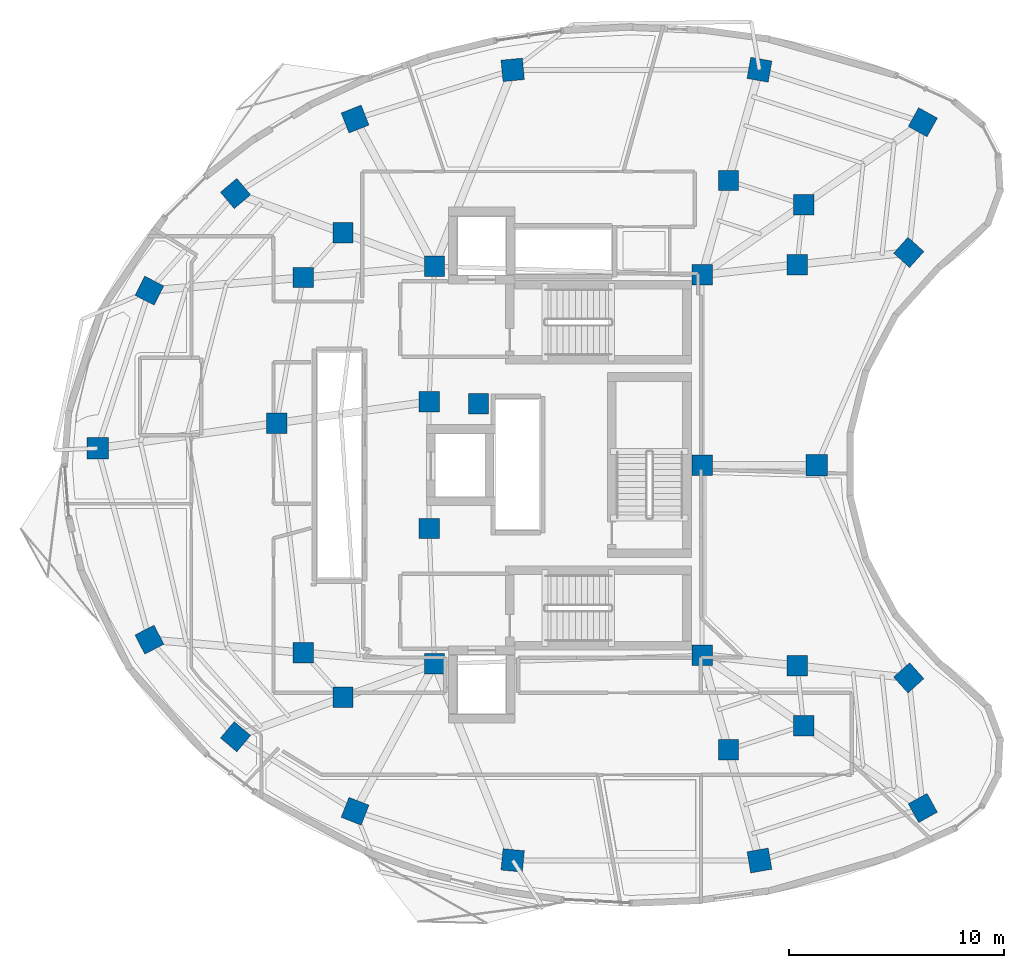
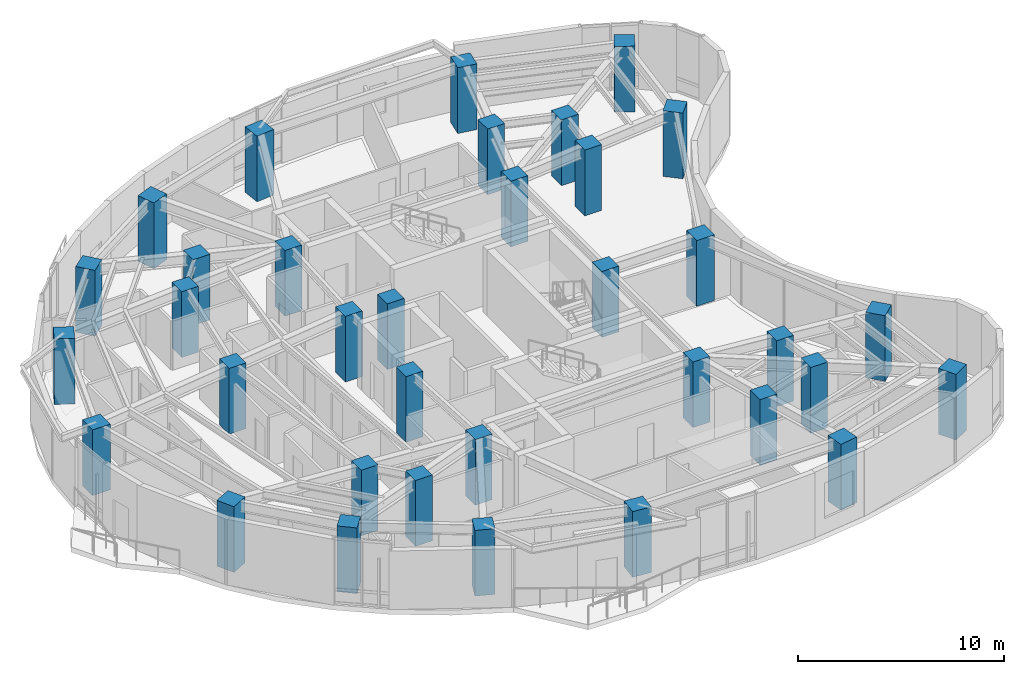
# One storey, part 1 of 13: 35 columns.
"""IFC4 building model written with IfcOpenShell, lengths in metres."""

from ifc_helpers import new_model, si_unit, direction, frame, origin, origin_2d, place, context, subcontext, project, spatial, rectangle, extrude, material, material_profile, profile_set, type_object, element, save


model = new_model("IFC4")

# Units and contexts
model_context = context("Model", 3, precision=1e-05, world=origin(), true_north=direction((0.0, 1.0)))
body_context = subcontext(model_context, "Body", "Model", "MODEL_VIEW")
ifc_project = project(units=[si_unit("LENGTHUNIT", "METRE"), si_unit("AREAUNIT", "SQUARE_METRE"), si_unit("VOLUMEUNIT", "CUBIC_METRE"), si_unit("PLANEANGLEUNIT", "RADIAN"), si_unit("MASSUNIT", "GRAM", prefix="KILO")], contexts=[model_context])

# Site, building, storey
site_placement = place(None, origin())
site = spatial("IfcSite", under=ifc_project, at=site_placement, CompositionType="ELEMENT")
building_placement = place(site_placement, origin())
building = spatial("IfcBuilding", under=site, at=building_placement, Name="Korentha Bioscience Tower", CompositionType="ELEMENT")
storey_placement = place(building_placement, frame((0.0, 0.0, 158.39990234375)))
storey = spatial("IfcBuildingStorey", under=building, at=storey_placement, Name="L36", CompositionType="ELEMENT", Elevation=158.39990234375)

# Columns
ifc_material = material(Name="Concrete C65", Category="concrete")
ifc_material_profile_1 = material_profile(ifc_material, rectangle(XDim=0.949951171875, YDim=0.949951171875, at=origin_2d()), Name="Concrete C65")
ifc_profile_set_1 = profile_set([ifc_material_profile_1], Name="Concrete C65 (COL-CP09)")
column_type_1 = type_object("IfcColumnType", Name="Core Pilaster Column RC 950x950", PredefinedType="PILASTER", material=ifc_profile_set_1)
for number, where, z_axis, x_axis, name in (
    (1, (37.550048828125, 35.85009765625, -0.00048828125), (0.0, 0.0, 1.0), (1.0, 0.0, 0.0), "L36 Core Pilaster CP-01"),
    (2, (25.10009765625, 36.25, -0.00048828125), (0.0, 0.0, 1.0), (1.0, 0.0, 0.0), "L36 Core Pilaster CP-02"),
    (3, (24.85009765625, 29.949951171875, -0.00048828125), (0.0, 0.0, 1.0), (1.0, 0.0, 0.0), "L36 Core Pilaster CP-03"),
    (4, (27.14990234375, 29.85009765625, -0.00048828125), (0.0, 0.0, 1.0), (1.0, 0.0, 0.0), "L36 Core Pilaster CP-04"),
    (5, (24.85009765625, 24.050048828125, -0.00048828125), (0.0, 0.0, 1.0), (1.0, 0.0, 0.0), "L36 Core Pilaster CP-05"),
    (6, (25.10009765625, 17.75, -0.00048828125), (0.0, 0.0, 1.0), (1.0, 0.0, 0.0), "L36 Core Pilaster CP-06"),
    (7, (37.550048828125, 18.14990234375, -0.00048828125), (0.0, 0.0, 1.0), (1.0, 0.0, 0.0), "L36 Core Pilaster CP-07"),
    (8, (37.550048828125, 27.0, -0.00048828125), (0.0, 0.0, 1.0), (1.0, 0.0, 0.0), "L36 Core Pilaster CP-08"),
):
    element("IfcColumn", number, at=place(storey_placement, frame(where, z_axis=z_axis, x_axis=x_axis)), inside=storey, type_object=column_type_1, Name=name, PredefinedType="PILASTER", context=body_context, shape_type="SweptSolid", body=[
        extrude(rectangle(XDim=0.949951171875, YDim=0.949951171875, at=origin_2d()), origin(), (0.0, 0.0, 1.0), 3.901123046875),
    ])
ifc_material_profile_2 = material_profile(ifc_material, rectangle(XDim=0.949951171875, YDim=0.949951171875, at=origin_2d()), Name="Concrete C65")
ifc_profile_set_2 = profile_set([ifc_material_profile_2], Name="Concrete C65 (COL-MR09)")
column_type_2 = type_object("IfcColumnType", Name="Mid-Ring Lab Column RC 950x950", PredefinedType="COLUMN", material=ifc_profile_set_2)
for number, where, z_axis, x_axis, name in (
    (9, (42.274658203125, 39.1171875, -0.00048828125), (0.0, 0.0, 1.0), (1.0, 0.0, 0.0), "L36 Mid-Ring Column 01"),
    (10, (38.77880859375, 40.2412109375, -0.00048828125), (0.0, 0.0, 1.0), (1.0, 0.0, 0.0), "L36 Mid-Ring Column 02"),
    (11, (20.84228515625, 37.807861328125, -0.00048828125), (0.0, 0.0, 1.0), (1.0, 0.0, 0.0), "L36 Mid-Ring Column 05"),
    (12, (18.99951171875, 35.72998046875, -0.00048828125), (0.0, 0.0, 1.0), (1.0, 0.0, 0.0), "L36 Mid-Ring Column 06"),
    (13, (17.75341796875, 28.95458984375, -0.00048828125), (0.0, 0.0, 1.0), (1.0, 0.0, 0.0), "L36 Mid-Ring Column 07"),
    (14, (18.99951171875, 18.27001953125, -0.00048828125), (0.0, 0.0, 1.0), (1.0, 0.0, 0.0), "L36 Mid-Ring Column 08"),
    (15, (20.84228515625, 16.192138671875, -0.00048828125), (0.0, 0.0, 1.0), (1.0, 0.0, 0.0), "L36 Mid-Ring Column 09"),
    (16, (38.77880859375, 13.7587890625, -0.00048828125), (0.0, 0.0, 1.0), (1.0, 0.0, 0.0), "L36 Mid-Ring Column 12"),
    (17, (42.274658203125, 14.8828125, -0.00048828125), (0.0, 0.0, 1.0), (1.0, 0.0, 0.0), "L36 Mid-Ring Column 13"),
    (18, (41.97412109375, 17.66796875, -0.00048828125), (0.0, 0.0, 1.0), (1.0, 0.0, 0.0), "L36 Mid-Ring Column 14"),
    (19, (41.97412109375, 36.33203125, -0.00048828125), (0.0, 0.0, 1.0), (1.0, 0.0, 0.0), "L36 Mid-Ring Column 16"),
):
    element("IfcColumn", number, at=place(storey_placement, frame(where, z_axis=z_axis, x_axis=x_axis)), inside=storey, type_object=column_type_2, Name=name, PredefinedType="COLUMN", context=body_context, shape_type="SweptSolid", body=[
        extrude(rectangle(XDim=0.949951171875, YDim=0.949951171875, at=origin_2d()), origin(), (0.0, 0.0, 1.0), 3.901123046875),
    ])
ifc_material_profile_3 = material_profile(ifc_material, rectangle(XDim=1.0, YDim=1.0, at=origin_2d()), Name="Concrete C65")
ifc_profile_set_3 = profile_set([ifc_material_profile_3], Name="Concrete C65 (COL-P10)")
column_type_3 = type_object("IfcColumnType", Name="Perimeter Column RC 1000x1000", PredefinedType="COLUMN", material=ifc_profile_set_3)
for number, where, z_axis, x_axis, name in (
    (20, (47.821044921875, 42.95263671875, -0.00048828125), (0.0, 0.0, 1.0), (-0.874535078577, 0.484962262797, 0.0), "L36 Perimeter Column 01"),
    (21, (40.22119140625, 45.39599609375, -0.00048828125), (0.0, 0.0, 1.0), (-0.984868307662, 0.173304404339, 0.0), "L36 Perimeter Column 02"),
    (22, (28.739501953125, 45.390380859375, -0.00048828125), (0.0, 0.0, 1.0), (0.995462868748, 0.095150811579, 0.0), "L36 Perimeter Column 03"),
    (23, (21.405517578125, 43.102783203125, -0.00048828125), (0.0, 0.0, 1.0), (0.930225540858, 0.366988341962, 0.0), "L36 Perimeter Column 04"),
    (24, (15.843994140625, 39.63671875, -0.00048828125), (0.0, 0.0, 1.0), (0.764246456939, 0.644924300253, 0.0), "L36 Perimeter Column 05"),
    (25, (11.837890625, 35.119384765625, -0.00048828125), (0.0, 0.0, 1.0), (0.453057191132, 0.891481453292, 0.0), "L36 Perimeter Column 06"),
    (26, (9.422607421875, 27.785888671875, -0.00048828125), (0.0, 0.0, 1.0), (0.0, 1.0, 0.0), "L36 Perimeter Column 07"),
    (27, (11.837890625, 18.880615234375, -0.00048828125), (0.0, 0.0, 1.0), (-0.453057191132, 0.891481453292, 0.0), "L36 Perimeter Column 08"),
    (28, (15.843994140625, 14.36328125, -0.00048828125), (0.0, 0.0, 1.0), (-0.764246456939, 0.644924300253, 0.0), "L36 Perimeter Column 09"),
    (29, (21.405517578125, 10.897216796875, -0.00048828125), (0.0, 0.0, 1.0), (-0.930225540858, 0.366988341962, 0.0), "L36 Perimeter Column 10"),
    (30, (28.739501953125, 8.609619140625, -0.00048828125), (0.0, 0.0, 1.0), (-0.995462868748, 0.095150811579, 0.0), "L36 Perimeter Column 11"),
    (31, (40.22119140625, 8.60400390625, -0.00048828125), (0.0, 0.0, 1.0), (0.984868307662, 0.173304404339, 0.0), "L36 Perimeter Column 12"),
    (32, (47.821044921875, 11.04736328125, -0.00048828125), (0.0, 0.0, 1.0), (0.874535078577, 0.484962262797, 0.0), "L36 Perimeter Column 13"),
    (33, (47.16748046875, 17.10205078125, -0.00048828125), (0.0, 0.0, 1.0), (-0.669130606359, 0.743144825477, 0.0), "L36 Perimeter Column 14"),
    (34, (42.8818359375, 27.0, -0.00048828125), (0.0, 0.0, 1.0), (0.0, 1.0, 0.0), "L36 Perimeter Column 15"),
    (35, (47.16748046875, 36.89794921875, -0.00048828125), (0.0, 0.0, 1.0), (0.669130606359, 0.743144825477, 0.0), "L36 Perimeter Column 16"),
):
    element("IfcColumn", number, at=place(storey_placement, frame(where, z_axis=z_axis, x_axis=x_axis)), inside=storey, type_object=column_type_3, Name=name, PredefinedType="COLUMN", context=body_context, shape_type="SweptSolid", body=[
        extrude(rectangle(XDim=1.0, YDim=1.0, at=origin_2d()), origin(), (0.0, 0.0, 1.0), 3.901123046875),
    ])

save(model, "model.ifc")
